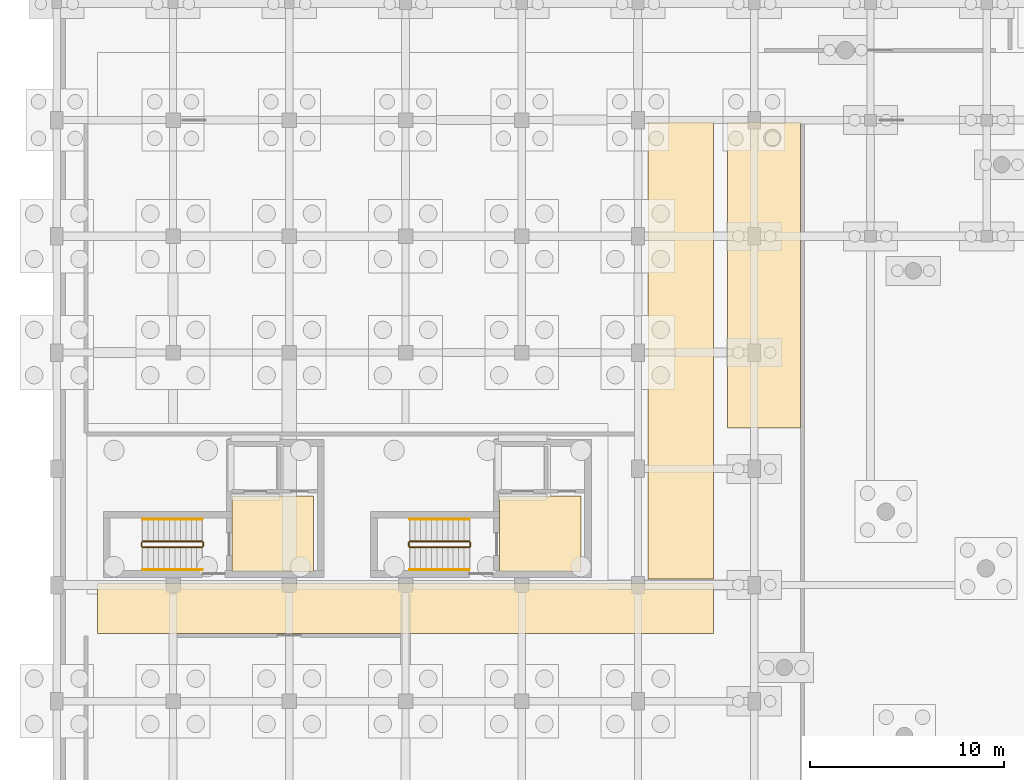
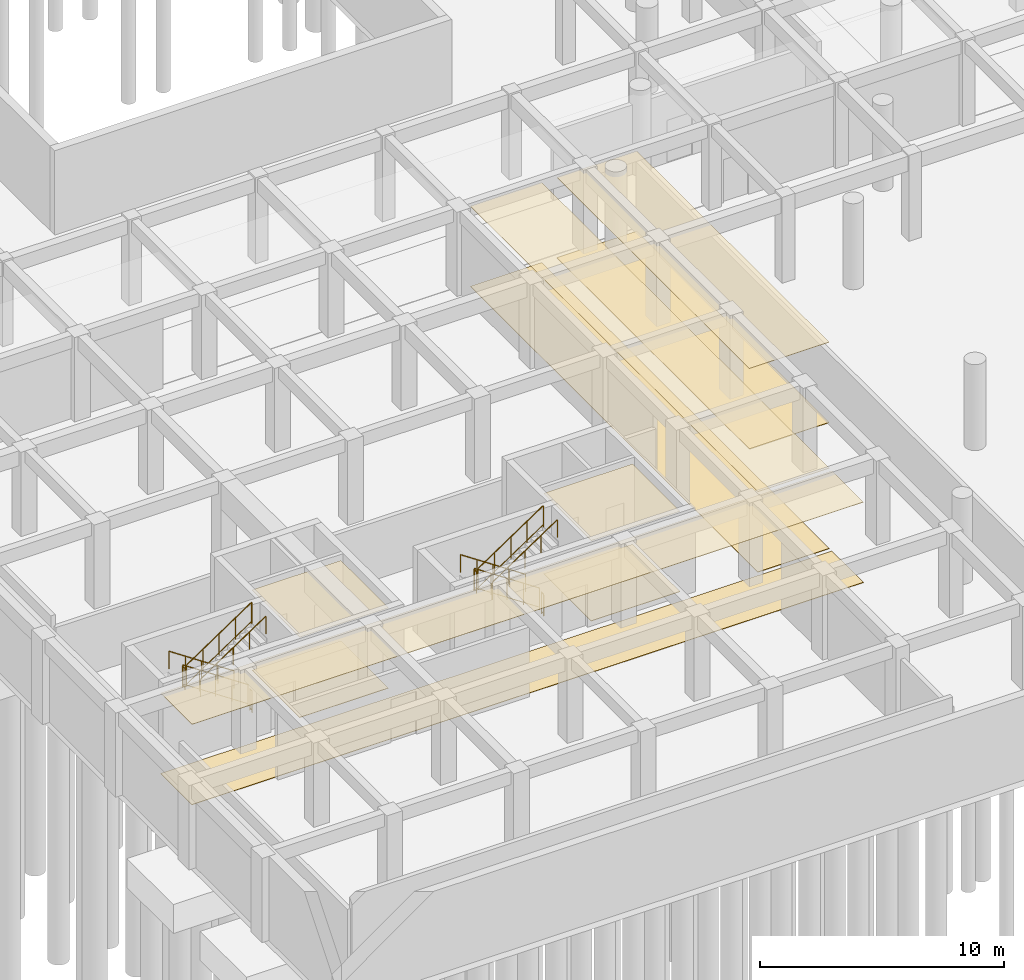
# One storey, part 36 of 41: 12 railings, 10 coverings.
"""IFC4 building model written with IfcOpenShell, lengths in metres."""

from ifc_helpers import new_model, si_unit, direction, frame, origin, origin_2d, place, context, subcontext, project, spatial, polyline, circle, outline, extrude, material, layer, layer_set, type_object, element, save


model = new_model("IFC4")

# Units and contexts
model_context = context("Model", 3, precision=1e-05, world=origin(), true_north=direction((0.0, 1.0)))
body_context = subcontext(model_context, "Body", "Model", "MODEL_VIEW")
ifc_project = project(units=[si_unit("LENGTHUNIT", "METRE"), si_unit("AREAUNIT", "SQUARE_METRE"), si_unit("VOLUMEUNIT", "CUBIC_METRE"), si_unit("PLANEANGLEUNIT", "RADIAN"), si_unit("MASSUNIT", "GRAM", prefix="KILO"), si_unit("POWERUNIT", "WATT"), si_unit("THERMODYNAMICTEMPERATUREUNIT", "KELVIN")], contexts=[model_context])

# Site, building, storey
site_placement = place(None, origin())
site = spatial("IfcSite", under=ifc_project, at=site_placement, CompositionType="ELEMENT")
building_placement = place(site_placement, origin())
building = spatial("IfcBuilding", under=site, at=building_placement, Name="Ruvembo Vaulted Housing Court", CompositionType="ELEMENT")
storey_placement = place(building_placement, frame((0.0, 0.0, -4.5)))
storey = spatial("IfcBuildingStorey", under=building, at=storey_placement, Name="B1", CompositionType="ELEMENT", Elevation=-4.5)

# Coverings
ifc_material_1 = material(Name="Perforated Mineral-Fibre Acoustic Tile", Category="gypsum")
ifc_layer_1 = layer(ifc_material_1, 0.02001953125, Name="Perforated Mineral-Fibre Acoustic Tile")
ifc_layer_set_1 = layer_set([ifc_layer_1], Name="Perforated Mineral-Fibre Acoustic Tile")
covering_type_1 = type_object("IfcCoveringType", Name="COV-CEIL-ACOUST", PredefinedType="CEILING", material=ifc_layer_set_1)
covering_1_placement = place(storey_placement, frame((0.0, 0.0, 4.02001953125)))
element("IfcCovering", 1, at=covering_1_placement, inside=storey, type_object=covering_type_1, Name="Firefighting Lift Lobby A1 Ceiling", PredefinedType="CEILING", context=body_context, shape_type="SweptSolid", body=[
    extrude(outline(polyline([(13.25, 22.60009765625), (9.050048828125, 22.60009765625), (9.050048828125, 18.699951171875), (13.25, 18.699951171875), (13.25, 22.60009765625)])), origin(), (0.0, 0.0, 1.0), 0.02001953125),
])
covering_2_placement = place(storey_placement, frame((0.0, 0.0, 4.02001953125)))
element("IfcCovering", 2, at=covering_2_placement, inside=storey, type_object=covering_type_1, Name="Firefighting Lift Lobby A2 Ceiling", PredefinedType="CEILING", context=body_context, shape_type="SweptSolid", body=[
    extrude(outline(polyline([(27.050048828125, 22.60009765625), (22.85009765625, 22.60009765625), (22.85009765625, 18.699951171875), (27.050048828125, 18.699951171875), (27.050048828125, 22.60009765625)])), origin(), (0.0, 0.0, 1.0), 0.02001953125),
])
covering_3_placement = place(storey_placement, frame((0.0, 0.0, 4.02001953125)))
element("IfcCovering", 3, at=covering_3_placement, inside=storey, type_object=covering_type_1, Name="Basement Block A Core Corridor Ceiling", PredefinedType="CEILING", context=body_context, shape_type="SweptSolid", body=[
    extrude(outline(polyline([(2.110107421875, 15.510009765625), (33.889892578125, 15.510009765625), (33.889892578125, 18.090087890625), (2.110107421875, 18.090087890625), (2.110107421875, 15.510009765625)])), origin(), (0.0, 0.0, 1.0), 0.02001953125),
])
covering_4_placement = place(storey_placement, frame((0.0, 0.0, 4.02001953125)))
element("IfcCovering", 4, at=covering_4_placement, inside=storey, type_object=covering_type_1, Name="Basement West Link Corridor Ceiling", PredefinedType="CEILING", context=body_context, shape_type="SweptSolid", body=[
    extrude(outline(polyline([(30.510009765625, 18.31005859375), (33.889892578125, 18.31005859375), (33.889892578125, 41.889892578125), (30.510009765625, 41.889892578125), (30.510009765625, 18.31005859375)])), origin(), (0.0, 0.0, 1.0), 0.02001953125),
])
covering_5_placement = place(storey_placement, frame((0.0, 0.0, 4.02001953125)))
element("IfcCovering", 5, at=covering_5_placement, inside=storey, type_object=covering_type_1, Name="Basement Vault South Access Passage Ceiling", PredefinedType="CEILING", context=body_context, shape_type="SweptSolid", body=[
    extrude(outline(polyline([(38.389892578125, 26.110107421875), (38.389892578125, 41.889892578125), (34.610107421875, 41.889892578125), (34.610107421875, 26.110107421875), (38.389892578125, 26.110107421875)])), origin(), (0.0, 0.0, 1.0), 0.02001953125),
])
ifc_material_2 = material(Name="Polished Cement-Aggregate Terrazzo", Category="stone")
ifc_layer_2 = layer(ifc_material_2, 0.02197265625, Name="Polished Cement-Aggregate Terrazzo")
ifc_layer_set_2 = layer_set([ifc_layer_2], Name="Polished Cement-Aggregate Terrazzo")
covering_type_2 = type_object("IfcCoveringType", Name="COV-FLR-CERAMIC", PredefinedType="FLOORING", material=ifc_layer_set_2)
covering_6_placement = place(storey_placement, origin())
element("IfcCovering", 6, at=covering_6_placement, inside=storey, type_object=covering_type_2, Name="Firefighting Lift Lobby A1 Flooring", PredefinedType="FLOORING", context=body_context, shape_type="SweptSolid", body=[
    extrude(outline(polyline([(13.25, 22.60009765625), (9.050048828125, 22.60009765625), (9.050048828125, 18.699951171875), (13.25, 18.699951171875), (13.25, 22.60009765625)])), origin(), (0.0, 0.0, 1.0), 0.02197265625),
])
covering_7_placement = place(storey_placement, origin())
element("IfcCovering", 7, at=covering_7_placement, inside=storey, type_object=covering_type_2, Name="Firefighting Lift Lobby A2 Flooring", PredefinedType="FLOORING", context=body_context, shape_type="SweptSolid", body=[
    extrude(outline(polyline([(27.050048828125, 22.60009765625), (22.85009765625, 22.60009765625), (22.85009765625, 18.699951171875), (27.050048828125, 18.699951171875), (27.050048828125, 22.60009765625)])), origin(), (0.0, 0.0, 1.0), 0.02197265625),
])
covering_8_placement = place(storey_placement, origin())
element("IfcCovering", 8, at=covering_8_placement, inside=storey, type_object=covering_type_2, Name="Basement Block A Core Corridor Flooring", PredefinedType="FLOORING", context=body_context, shape_type="SweptSolid", body=[
    extrude(outline(polyline([(2.110107421875, 15.510009765625), (33.889892578125, 15.510009765625), (33.889892578125, 18.090087890625), (2.110107421875, 18.090087890625), (2.110107421875, 15.510009765625)])), origin(), (0.0, 0.0, 1.0), 0.02197265625),
])
covering_9_placement = place(storey_placement, origin())
element("IfcCovering", 9, at=covering_9_placement, inside=storey, type_object=covering_type_2, Name="Basement West Link Corridor Flooring", PredefinedType="FLOORING", context=body_context, shape_type="SweptSolid", body=[
    extrude(outline(polyline([(30.510009765625, 18.31005859375), (33.889892578125, 18.31005859375), (33.889892578125, 41.889892578125), (30.510009765625, 41.889892578125), (30.510009765625, 18.31005859375)])), origin(), (0.0, 0.0, 1.0), 0.02197265625),
])
covering_10_placement = place(storey_placement, origin())
element("IfcCovering", 10, at=covering_10_placement, inside=storey, type_object=covering_type_2, Name="Basement Vault South Access Passage Flooring", PredefinedType="FLOORING", context=body_context, shape_type="SweptSolid", body=[
    extrude(outline(polyline([(38.389892578125, 26.110107421875), (38.389892578125, 41.889892578125), (34.610107421875, 41.889892578125), (34.610107421875, 26.110107421875), (38.389892578125, 26.110107421875)])), origin(), (0.0, 0.0, 1.0), 0.02197265625),
])

# Railings
ifc_material_3 = material(Name="Painted Galvanised Steel S275", Category="steel")
ifc_layer_3 = layer(ifc_material_3, 0.06005859375, Name="Painted Galvanised Steel S275")
ifc_layer_set_3 = layer_set([ifc_layer_3], Name="Painted Galvanised Steel S275")
railing_type_1 = type_object("IfcRailingType", Name="RL-STAIR-GR1100", PredefinedType="GUARDRAIL", material=ifc_layer_set_3)
railing_1_placement = place(storey_placement, frame((7.5, 20.25, 0.1875)))
element("IfcRailing", 11, at=railing_1_placement, inside=storey, type_object=railing_type_1, Name="B1 ST-A1 stair guard 1", PredefinedType="GUARDRAIL", context=body_context, shape_type="SweptSolid", body=[
    extrude(circle(Radius=0.02392578125, at=origin_2d()), frame((0.0, 0.0, 1.076171875), z_axis=(-0.830913701846, 0.0, 0.55640131208), x_axis=(0.0, -1.0, 0.0)), (0.0, 0.0, 1.0), 3.706787109375),
    extrude(circle(Radius=0.01806640625, at=origin_2d()), frame((0.0, 0.0, 0.1201171875), z_axis=(-0.830913701846, 0.0, 0.55640131208), x_axis=(0.0, -1.0, 0.0)), (0.0, 0.0, 1.0), 3.706787109375),
    extrude(circle(Radius=0.02099609375, at=origin_2d()), origin(), (0.0, 0.0, 1.0), 1.052001953125),
    extrude(circle(Radius=0.02099609375, at=origin_2d()), frame((-0.77001953125, 0.0, 0.515625)), (0.0, 0.0, 1.0), 1.052001953125),
    extrude(circle(Radius=0.02099609375, at=origin_2d()), frame((-1.5400390625, 0.0, 1.03125)), (0.0, 0.0, 1.0), 1.052001953125),
    extrude(circle(Radius=0.02099609375, at=origin_2d()), frame((-2.31005859375, 0.0, 1.546875)), (0.0, 0.0, 1.0), 1.052001953125),
    extrude(circle(Radius=0.02099609375, at=origin_2d()), frame((-3.080078125, 0.0, 2.0625)), (0.0, 0.0, 1.0), 1.052001953125),
])
railing_2_placement = place(storey_placement, frame((4.3701171875, 20.199951171875, 2.25)))
element("IfcRailing", 12, at=railing_2_placement, inside=storey, type_object=railing_type_1, Name="B1 ST-A1 stair guard 2", PredefinedType="GUARDRAIL", context=body_context, shape_type="SweptSolid", body=[
    extrude(circle(Radius=0.02392578125, at=origin_2d()), frame((0.0, 0.0, 1.076171875), z_axis=(0.0, -1.0, 0.0), x_axis=(1.0, 0.0, 0.0)), (0.0, 0.0, 1.0), 0.199951171875),
    extrude(circle(Radius=0.01806640625, at=origin_2d()), frame((0.0, 0.0, 0.1201171875), z_axis=(0.0, -1.0, 0.0), x_axis=(1.0, 0.0, 0.0)), (0.0, 0.0, 1.0), 0.199951171875),
    extrude(circle(Radius=0.02099609375, at=origin_2d()), origin(), (0.0, 0.0, 1.0), 1.052001953125),
    extrude(circle(Radius=0.02099609375, at=origin_2d()), frame((0.0, -0.199951171875, 0.0)), (0.0, 0.0, 1.0), 1.052001953125),
])
railing_3_placement = place(storey_placement, frame((4.419921875, 19.949951171875, 2.4375)))
element("IfcRailing", 13, at=railing_3_placement, inside=storey, type_object=railing_type_1, Name="B1 ST-A1 stair guard 3", PredefinedType="GUARDRAIL", context=body_context, shape_type="SweptSolid", body=[
    extrude(circle(Radius=0.02392578125, at=origin_2d()), frame((0.0, 0.0, 1.076171875), z_axis=(0.830913701846, 0.0, 0.55640131208), x_axis=(0.0, 1.0, 0.0)), (0.0, 0.0, 1.0), 3.706787109375),
    extrude(circle(Radius=0.01806640625, at=origin_2d()), frame((0.0, 0.0, 0.1201171875), z_axis=(0.830913701846, 0.0, 0.55640131208), x_axis=(0.0, 1.0, 0.0)), (0.0, 0.0, 1.0), 3.706787109375),
    extrude(circle(Radius=0.02099609375, at=origin_2d()), origin(), (0.0, 0.0, 1.0), 1.052001953125),
    extrude(circle(Radius=0.02099609375, at=origin_2d()), frame((0.77001953125, 0.0, 0.515625)), (0.0, 0.0, 1.0), 1.052001953125),
    extrude(circle(Radius=0.02099609375, at=origin_2d()), frame((1.5400390625, 0.0, 1.03125)), (0.0, 0.0, 1.0), 1.052001953125),
    extrude(circle(Radius=0.02099609375, at=origin_2d()), frame((2.31005859375, 0.0, 1.546875)), (0.0, 0.0, 1.0), 1.052001953125),
    extrude(circle(Radius=0.02099609375, at=origin_2d()), frame((3.080078125, 0.0, 2.0625)), (0.0, 0.0, 1.0), 1.052001953125),
])
railing_4_placement = place(storey_placement, frame((7.550048828125, 20.199951171875, 0.0)))
element("IfcRailing", 14, at=railing_4_placement, inside=storey, type_object=railing_type_1, Name="B1 ST-A1 stair guard 4", PredefinedType="GUARDRAIL", context=body_context, shape_type="SweptSolid", body=[
    extrude(circle(Radius=0.02392578125, at=origin_2d()), frame((0.0, 0.0, 1.076171875), z_axis=(0.0, -1.0, 0.0), x_axis=(1.0, 0.0, 0.0)), (0.0, 0.0, 1.0), 0.199951171875),
    extrude(circle(Radius=0.01806640625, at=origin_2d()), frame((0.0, 0.0, 0.1201171875), z_axis=(0.0, -1.0, 0.0), x_axis=(1.0, 0.0, 0.0)), (0.0, 0.0, 1.0), 0.199951171875),
    extrude(circle(Radius=0.02099609375, at=origin_2d()), origin(), (0.0, 0.0, 1.0), 1.052001953125),
    extrude(circle(Radius=0.02099609375, at=origin_2d()), frame((0.0, -0.199951171875, 0.0)), (0.0, 0.0, 1.0), 1.052001953125),
])
railing_5_placement = place(storey_placement, frame((21.300048828125, 20.25, 0.1875)))
element("IfcRailing", 15, at=railing_5_placement, inside=storey, type_object=railing_type_1, Name="B1 ST-A2 stair guard 1", PredefinedType="GUARDRAIL", context=body_context, shape_type="SweptSolid", body=[
    extrude(circle(Radius=0.02392578125, at=origin_2d()), frame((0.0, 0.0, 1.076171875), z_axis=(-0.830913701846, 0.0, 0.55640131208), x_axis=(0.0, -1.0, 0.0)), (0.0, 0.0, 1.0), 3.706787109375),
    extrude(circle(Radius=0.01806640625, at=origin_2d()), frame((0.0, 0.0, 0.1201171875), z_axis=(-0.830913701846, 0.0, 0.55640131208), x_axis=(0.0, -1.0, 0.0)), (0.0, 0.0, 1.0), 3.706787109375),
    extrude(circle(Radius=0.02099609375, at=origin_2d()), origin(), (0.0, 0.0, 1.0), 1.052001953125),
    extrude(circle(Radius=0.02099609375, at=origin_2d()), frame((-0.77001953125, 0.0, 0.515625)), (0.0, 0.0, 1.0), 1.052001953125),
    extrude(circle(Radius=0.02099609375, at=origin_2d()), frame((-1.5400390625, 0.0, 1.03125)), (0.0, 0.0, 1.0), 1.052001953125),
    extrude(circle(Radius=0.02099609375, at=origin_2d()), frame((-2.31005859375, 0.0, 1.546875)), (0.0, 0.0, 1.0), 1.052001953125),
    extrude(circle(Radius=0.02099609375, at=origin_2d()), frame((-3.080078125, 0.0, 2.0625)), (0.0, 0.0, 1.0), 1.052001953125),
])
railing_6_placement = place(storey_placement, frame((18.169921875, 20.199951171875, 2.25)))
element("IfcRailing", 16, at=railing_6_placement, inside=storey, type_object=railing_type_1, Name="B1 ST-A2 stair guard 2", PredefinedType="GUARDRAIL", context=body_context, shape_type="SweptSolid", body=[
    extrude(circle(Radius=0.02392578125, at=origin_2d()), frame((0.0, 0.0, 1.076171875), z_axis=(0.0, -1.0, 0.0), x_axis=(1.0, 0.0, 0.0)), (0.0, 0.0, 1.0), 0.199951171875),
    extrude(circle(Radius=0.01806640625, at=origin_2d()), frame((0.0, 0.0, 0.1201171875), z_axis=(0.0, -1.0, 0.0), x_axis=(1.0, 0.0, 0.0)), (0.0, 0.0, 1.0), 0.199951171875),
    extrude(circle(Radius=0.02099609375, at=origin_2d()), origin(), (0.0, 0.0, 1.0), 1.052001953125),
    extrude(circle(Radius=0.02099609375, at=origin_2d()), frame((0.0, -0.199951171875, 0.0)), (0.0, 0.0, 1.0), 1.052001953125),
])
railing_7_placement = place(storey_placement, frame((18.219970703125, 19.949951171875, 2.4375)))
element("IfcRailing", 17, at=railing_7_placement, inside=storey, type_object=railing_type_1, Name="B1 ST-A2 stair guard 3", PredefinedType="GUARDRAIL", context=body_context, shape_type="SweptSolid", body=[
    extrude(circle(Radius=0.02392578125, at=origin_2d()), frame((0.0, 0.0, 1.076171875), z_axis=(0.830913701846, 0.0, 0.55640131208), x_axis=(0.0, 1.0, 0.0)), (0.0, 0.0, 1.0), 3.706787109375),
    extrude(circle(Radius=0.01806640625, at=origin_2d()), frame((0.0, 0.0, 0.1201171875), z_axis=(0.830913701846, 0.0, 0.55640131208), x_axis=(0.0, 1.0, 0.0)), (0.0, 0.0, 1.0), 3.706787109375),
    extrude(circle(Radius=0.02099609375, at=origin_2d()), origin(), (0.0, 0.0, 1.0), 1.052001953125),
    extrude(circle(Radius=0.02099609375, at=origin_2d()), frame((0.77001953125, 0.0, 0.515625)), (0.0, 0.0, 1.0), 1.052001953125),
    extrude(circle(Radius=0.02099609375, at=origin_2d()), frame((1.5400390625, 0.0, 1.03125)), (0.0, 0.0, 1.0), 1.052001953125),
    extrude(circle(Radius=0.02099609375, at=origin_2d()), frame((2.31005859375, 0.0, 1.546875)), (0.0, 0.0, 1.0), 1.052001953125),
    extrude(circle(Radius=0.02099609375, at=origin_2d()), frame((3.080078125, 0.0, 2.0625)), (0.0, 0.0, 1.0), 1.052001953125),
])
railing_8_placement = place(storey_placement, frame((21.35009765625, 20.199951171875, 0.0)))
element("IfcRailing", 18, at=railing_8_placement, inside=storey, type_object=railing_type_1, Name="B1 ST-A2 stair guard 4", PredefinedType="GUARDRAIL", context=body_context, shape_type="SweptSolid", body=[
    extrude(circle(Radius=0.02392578125, at=origin_2d()), frame((0.0, 0.0, 1.076171875), z_axis=(0.0, -1.0, 0.0), x_axis=(1.0, 0.0, 0.0)), (0.0, 0.0, 1.0), 0.199951171875),
    extrude(circle(Radius=0.01806640625, at=origin_2d()), frame((0.0, 0.0, 0.1201171875), z_axis=(0.0, -1.0, 0.0), x_axis=(1.0, 0.0, 0.0)), (0.0, 0.0, 1.0), 0.199951171875),
    extrude(circle(Radius=0.02099609375, at=origin_2d()), origin(), (0.0, 0.0, 1.0), 1.052001953125),
    extrude(circle(Radius=0.02099609375, at=origin_2d()), frame((0.0, -0.199951171875, 0.0)), (0.0, 0.0, 1.0), 1.052001953125),
])
ifc_material_4 = material(Name="Brushed Stainless Steel 304", Category="steel")
ifc_layer_4 = layer(ifc_material_4, 0.050048828125, Name="Brushed Stainless Steel 304")
ifc_layer_set_4 = layer_set([ifc_layer_4], Name="Brushed Stainless Steel 304")
railing_type_2 = type_object("IfcRailingType", Name="RL-STAIR-HR920", PredefinedType="HANDRAIL", material=ifc_layer_set_4)
railing_9_placement = place(storey_placement, frame((7.5, 21.39990234375, 0.379150390625)))
element("IfcRailing", 19, at=railing_9_placement, inside=storey, type_object=railing_type_2, Name="B1 ST-A1 stair handrail 1", PredefinedType="HANDRAIL", context=body_context, shape_type="SweptSolid", body=[
    extrude(circle(Radius=0.02392578125, at=origin_2d()), frame((0.0, 0.0, 0.8759765625), z_axis=(-0.830913701846, 0.0, 0.55640131208), x_axis=(0.0, -1.0, 0.0)), (0.0, 0.0, 1.0), 3.706787109375),
    extrude(circle(Radius=0.02099609375, at=origin_2d()), origin(), (0.0, 0.0, 1.0), 0.851806640625),
    extrude(circle(Radius=0.02099609375, at=origin_2d()), frame((-0.77001953125, 0.0, 0.515625)), (0.0, 0.0, 1.0), 0.851806640625),
    extrude(circle(Radius=0.02099609375, at=origin_2d()), frame((-1.5400390625, 0.0, 1.03125)), (0.0, 0.0, 1.0), 0.851806640625),
    extrude(circle(Radius=0.02099609375, at=origin_2d()), frame((-2.31005859375, 0.0, 1.546875)), (0.0, 0.0, 1.0), 0.851806640625),
    extrude(circle(Radius=0.02099609375, at=origin_2d()), frame((-3.080078125, 0.0, 2.0625)), (0.0, 0.0, 1.0), 0.851806640625),
])
railing_10_placement = place(storey_placement, frame((4.419921875, 18.800048828125, 2.629150390625)))
element("IfcRailing", 20, at=railing_10_placement, inside=storey, type_object=railing_type_2, Name="B1 ST-A1 stair handrail 2", PredefinedType="HANDRAIL", context=body_context, shape_type="SweptSolid", body=[
    extrude(circle(Radius=0.02392578125, at=origin_2d()), frame((0.0, 0.0, 0.8759765625), z_axis=(0.830913701846, 0.0, 0.55640131208), x_axis=(0.0, 1.0, 0.0)), (0.0, 0.0, 1.0), 3.706787109375),
    extrude(circle(Radius=0.02099609375, at=origin_2d()), origin(), (0.0, 0.0, 1.0), 0.851806640625),
    extrude(circle(Radius=0.02099609375, at=origin_2d()), frame((0.77001953125, 0.0, 0.515625)), (0.0, 0.0, 1.0), 0.851806640625),
    extrude(circle(Radius=0.02099609375, at=origin_2d()), frame((1.5400390625, 0.0, 1.03125)), (0.0, 0.0, 1.0), 0.851806640625),
    extrude(circle(Radius=0.02099609375, at=origin_2d()), frame((2.31005859375, 0.0, 1.546875)), (0.0, 0.0, 1.0), 0.851806640625),
    extrude(circle(Radius=0.02099609375, at=origin_2d()), frame((3.080078125, 0.0, 2.0625)), (0.0, 0.0, 1.0), 0.851806640625),
])
railing_11_placement = place(storey_placement, frame((21.300048828125, 21.39990234375, 0.379150390625)))
element("IfcRailing", 21, at=railing_11_placement, inside=storey, type_object=railing_type_2, Name="B1 ST-A2 stair handrail 1", PredefinedType="HANDRAIL", context=body_context, shape_type="SweptSolid", body=[
    extrude(circle(Radius=0.02392578125, at=origin_2d()), frame((0.0, 0.0, 0.8759765625), z_axis=(-0.830913701846, 0.0, 0.55640131208), x_axis=(0.0, -1.0, 0.0)), (0.0, 0.0, 1.0), 3.706787109375),
    extrude(circle(Radius=0.02099609375, at=origin_2d()), origin(), (0.0, 0.0, 1.0), 0.851806640625),
    extrude(circle(Radius=0.02099609375, at=origin_2d()), frame((-0.77001953125, 0.0, 0.515625)), (0.0, 0.0, 1.0), 0.851806640625),
    extrude(circle(Radius=0.02099609375, at=origin_2d()), frame((-1.5400390625, 0.0, 1.03125)), (0.0, 0.0, 1.0), 0.851806640625),
    extrude(circle(Radius=0.02099609375, at=origin_2d()), frame((-2.31005859375, 0.0, 1.546875)), (0.0, 0.0, 1.0), 0.851806640625),
    extrude(circle(Radius=0.02099609375, at=origin_2d()), frame((-3.080078125, 0.0, 2.0625)), (0.0, 0.0, 1.0), 0.851806640625),
])
railing_12_placement = place(storey_placement, frame((18.219970703125, 18.800048828125, 2.629150390625)))
element("IfcRailing", 22, at=railing_12_placement, inside=storey, type_object=railing_type_2, Name="B1 ST-A2 stair handrail 2", PredefinedType="HANDRAIL", context=body_context, shape_type="SweptSolid", body=[
    extrude(circle(Radius=0.02392578125, at=origin_2d()), frame((0.0, 0.0, 0.8759765625), z_axis=(0.830913701846, 0.0, 0.55640131208), x_axis=(0.0, 1.0, 0.0)), (0.0, 0.0, 1.0), 3.706787109375),
    extrude(circle(Radius=0.02099609375, at=origin_2d()), origin(), (0.0, 0.0, 1.0), 0.851806640625),
    extrude(circle(Radius=0.02099609375, at=origin_2d()), frame((0.77001953125, 0.0, 0.515625)), (0.0, 0.0, 1.0), 0.851806640625),
    extrude(circle(Radius=0.02099609375, at=origin_2d()), frame((1.5400390625, 0.0, 1.03125)), (0.0, 0.0, 1.0), 0.851806640625),
    extrude(circle(Radius=0.02099609375, at=origin_2d()), frame((2.31005859375, 0.0, 1.546875)), (0.0, 0.0, 1.0), 0.851806640625),
    extrude(circle(Radius=0.02099609375, at=origin_2d()), frame((3.080078125, 0.0, 2.0625)), (0.0, 0.0, 1.0), 0.851806640625),
])

save(model, "model.ifc")
